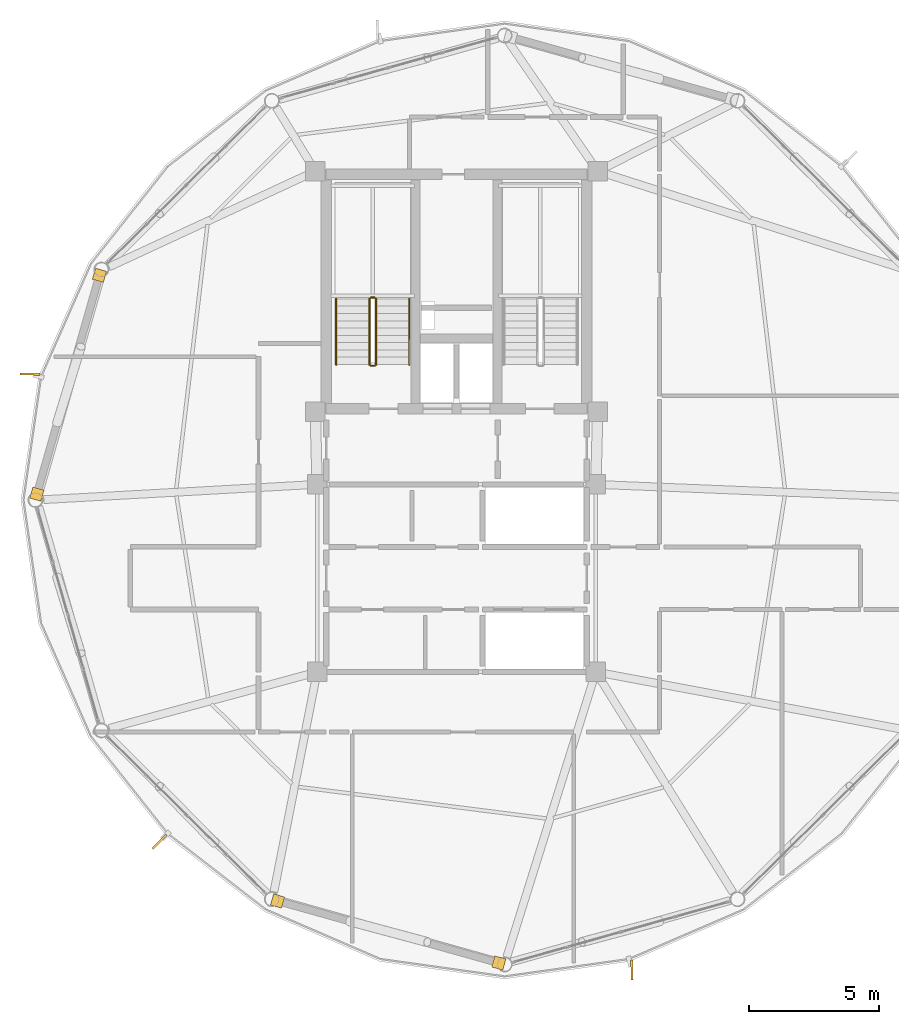
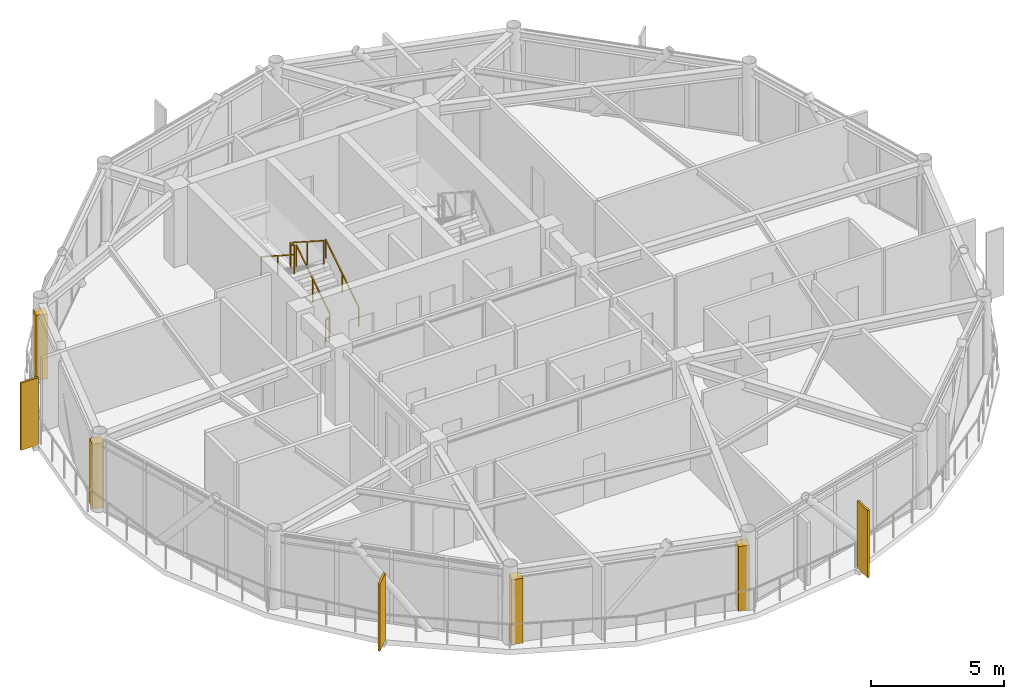
# One storey, part 22 of 24: 6 railings, 4 coverings, 3 shading devices.
"""IFC4 building model written with IfcOpenShell, lengths in metres."""

from ifc_helpers import new_model, si_unit, direction, frame, origin, origin_2d, place, context, subcontext, project, spatial, rectangle, extrude, source, transform, mapped, material, layer, layer_set, type_object, type_shapes, element, save


model = new_model("IFC4")

# Units and contexts
model_context = context("Model", 3, precision=1e-05, world=origin(), true_north=direction((0.0, 1.0)))
body_context = subcontext(model_context, "Body", "Model", "MODEL_VIEW")
ifc_project = project(units=[si_unit("LENGTHUNIT", "METRE"), si_unit("AREAUNIT", "SQUARE_METRE"), si_unit("VOLUMEUNIT", "CUBIC_METRE"), si_unit("PLANEANGLEUNIT", "RADIAN"), si_unit("MASSUNIT", "GRAM", prefix="KILO")], contexts=[model_context])

# Site, building, storey
site_placement = place(None, origin())
site = spatial("IfcSite", under=ifc_project, at=site_placement, CompositionType="ELEMENT")
building_placement = place(site_placement, origin())
building = spatial("IfcBuilding", under=site, at=building_placement, Name="Varnakorn Sky Granary", CompositionType="ELEMENT")
storey_placement = place(building_placement, frame((0.0, 0.0, 274.199951171875)))
storey = spatial("IfcBuildingStorey", under=building, at=storey_placement, Name="L70", CompositionType="ELEMENT", Elevation=274.199951171875)

# Railings
ifc_material_1 = material(Name="Brushed Stainless Steel 316", Category="steel")
railing_type_1 = type_object("IfcRailingType", Name="RL-STAIR-1100", PredefinedType="GUARDRAIL", material=ifc_material_1)
railing_1_placement = place(storey_placement, frame((-0.090087890625, 5.199951171875, 0.179931640625)))
element("IfcRailing", 1, at=railing_1_placement, inside=storey, type_object=railing_type_1, Name="L70 ST-1 stair guard 1", PredefinedType="GUARDRAIL", context=body_context, shape_type="SweptSolid", body=[
    extrude(rectangle(XDim=0.048095703125, YDim=0.048095703125, at=origin_2d()), frame((0.0, 0.0, 1.076171875), z_axis=(0.0, 0.841162588446, 0.540782303519), x_axis=(-1.0, 0.0, 0.0)), (0.0, 0.0, 1.0), 2.995849609375),
    extrude(rectangle(XDim=0.0419921875, YDim=0.0419921875, at=origin_2d()), origin(), (0.0, 0.0, 1.0), 1.048095703125),
    extrude(rectangle(XDim=0.0419921875, YDim=0.0419921875, at=origin_2d()), frame((0.0, 1.260009765625, 0.81005859375)), (0.0, 0.0, 1.0), 1.048095703125),
    extrude(rectangle(XDim=0.0419921875, YDim=0.0419921875, at=origin_2d()), frame((0.0, 2.52001953125, 1.6201171875)), (0.0, 0.0, 1.0), 1.048095703125),
])
railing_2_placement = place(storey_placement, frame((-0.139892578125, 7.77001953125, 1.800048828125)))
element("IfcRailing", 2, at=railing_2_placement, inside=storey, type_object=railing_type_1, Name="L70 ST-1 stair guard 2", PredefinedType="GUARDRAIL", context=body_context, shape_type="SweptSolid", body=[
    extrude(rectangle(XDim=0.048095703125, YDim=0.048095703125, at=origin_2d()), frame((0.0, 0.0, 1.076171875), z_axis=(-1.0, 0.0, 0.0), x_axis=(0.0, -1.0, 0.0)), (0.0, 0.0, 1.0), 0.150146484375),
    extrude(rectangle(XDim=0.0419921875, YDim=0.0419921875, at=origin_2d()), origin(), (0.0, 0.0, 1.0), 1.048095703125),
    extrude(rectangle(XDim=0.0419921875, YDim=0.0419921875, at=origin_2d()), frame((-0.150146484375, 0.0, 0.0)), (0.0, 0.0, 1.0), 1.048095703125),
])
railing_3_placement = place(storey_placement, frame((-0.340087890625, 7.719970703125, 1.97998046875)))
element("IfcRailing", 3, at=railing_3_placement, inside=storey, type_object=railing_type_1, Name="L70 ST-1 stair guard 3", PredefinedType="GUARDRAIL", context=body_context, shape_type="SweptSolid", body=[
    extrude(rectangle(XDim=0.048095703125, YDim=0.048095703125, at=origin_2d()), frame((0.0, 0.0, 1.076171875), z_axis=(0.0, -0.841162588446, 0.540782303519), x_axis=(1.0, 0.0, 0.0)), (0.0, 0.0, 1.0), 2.995849609375),
    extrude(rectangle(XDim=0.0419921875, YDim=0.0419921875, at=origin_2d()), origin(), (0.0, 0.0, 1.0), 1.048095703125),
    extrude(rectangle(XDim=0.0419921875, YDim=0.0419921875, at=origin_2d()), frame((0.0, -1.260009765625, 0.81005859375)), (0.0, 0.0, 1.0), 1.048095703125),
    extrude(rectangle(XDim=0.0419921875, YDim=0.0419921875, at=origin_2d()), frame((0.0, -2.52001953125, 1.6201171875)), (0.0, 0.0, 1.0), 1.048095703125),
])
railing_4_placement = place(storey_placement, frame((-0.139892578125, 5.14990234375, 0.0)))
element("IfcRailing", 4, at=railing_4_placement, inside=storey, type_object=railing_type_1, Name="L70 ST-1 stair guard 4", PredefinedType="GUARDRAIL", context=body_context, shape_type="SweptSolid", body=[
    extrude(rectangle(XDim=0.048095703125, YDim=0.048095703125, at=origin_2d()), frame((0.0, 0.0, 1.076171875), z_axis=(-1.0, 0.0, 0.0), x_axis=(0.0, -1.0, 0.0)), (0.0, 0.0, 1.0), 0.150146484375),
    extrude(rectangle(XDim=0.0419921875, YDim=0.0419921875, at=origin_2d()), origin(), (0.0, 0.0, 1.0), 1.048095703125),
    extrude(rectangle(XDim=0.0419921875, YDim=0.0419921875, at=origin_2d()), frame((-0.150146484375, 0.0, 0.0)), (0.0, 0.0, 1.0), 1.048095703125),
])
railing_type_2 = type_object("IfcRailingType", Name="RL-STAIR-920", PredefinedType="HANDRAIL", material=ifc_material_1)
railing_5_placement = place(storey_placement, frame((1.18994140625, 5.199951171875, 0.179931640625)))
element("IfcRailing", 5, at=railing_5_placement, inside=storey, type_object=railing_type_2, Name="L70 ST-1 stair handrail 1", PredefinedType="HANDRAIL", context=body_context, shape_type="SweptSolid", body=[
    extrude(rectangle(XDim=0.048095703125, YDim=0.048095703125, at=origin_2d()), frame((0.0, 0.0, 0.8759765625), z_axis=(0.0, 0.841162588446, 0.540782303519), x_axis=(-1.0, 0.0, 0.0)), (0.0, 0.0, 1.0), 2.995849609375),
    extrude(rectangle(XDim=0.0419921875, YDim=0.0419921875, at=origin_2d()), origin(), (0.0, 0.0, 1.0), 0.847900390625),
    extrude(rectangle(XDim=0.0419921875, YDim=0.0419921875, at=origin_2d()), frame((0.0, 1.260009765625, 0.81005859375)), (0.0, 0.0, 1.0), 0.847900390625),
    extrude(rectangle(XDim=0.0419921875, YDim=0.0419921875, at=origin_2d()), frame((0.0, 2.52001953125, 1.6201171875)), (0.0, 0.0, 1.0), 0.847900390625),
])
railing_6_placement = place(storey_placement, frame((-1.6201171875, 7.719970703125, 1.97998046875)))
element("IfcRailing", 6, at=railing_6_placement, inside=storey, type_object=railing_type_2, Name="L70 ST-1 stair handrail 2", PredefinedType="HANDRAIL", context=body_context, shape_type="SweptSolid", body=[
    extrude(rectangle(XDim=0.048095703125, YDim=0.048095703125, at=origin_2d()), frame((0.0, 0.0, 0.8759765625), z_axis=(0.0, -0.841162588446, 0.540782303519), x_axis=(1.0, 0.0, 0.0)), (0.0, 0.0, 1.0), 2.995849609375),
    extrude(rectangle(XDim=0.0419921875, YDim=0.0419921875, at=origin_2d()), origin(), (0.0, 0.0, 1.0), 0.847900390625),
    extrude(rectangle(XDim=0.0419921875, YDim=0.0419921875, at=origin_2d()), frame((0.0, -1.260009765625, 0.81005859375)), (0.0, 0.0, 1.0), 0.847900390625),
    extrude(rectangle(XDim=0.0419921875, YDim=0.0419921875, at=origin_2d()), frame((0.0, -2.52001953125, 1.6201171875)), (0.0, 0.0, 1.0), 0.847900390625),
])

# Coverings
ifc_material_2 = material(Name="Anodised Bronze Aluminium Alloy 6063-T6", Category="aluminium")
ifc_layer = layer(ifc_material_2, 0.050048828125, Name="Anodised Bronze Aluminium Alloy 6063-T6")
ifc_layer_set = layer_set([ifc_layer], Name="Anodised Bronze Aluminium Alloy 6063-T6")
covering_type = type_object("IfcCoveringType", Name="CV-CLAD-50", PredefinedType="CLADDING", material=ifc_layer_set)
shared_shape_1 = source(origin(), body_context, "Body", "SweptSolid", [
    extrude(rectangle(XDim=0.43994140625, YDim=0.43994140625, at=origin_2d()), origin(), (0.0, 0.0, 1.0), 2.989990234375),
])
type_shapes(covering_type, [shared_shape_1])
for number, where, z_axis, x_axis, name in (
    (7, (-13.1064453125, 0.2255859375, -0.02001953125), (0.0, 0.0, 1.0), (0.274966201438, 0.961453892845, 0.0), "Bronze Corner Pilaster Closure L70-P06-A"),
    (8, (-10.7041015625, 8.62451171875, -0.02001953125), (0.0, 0.0, 1.0), (0.274966201438, 0.961453892845, 0.0), "Bronze Corner Pilaster Closure L70-P06-B"),
    (9, (4.624267578125, -17.771728515625, -0.02001953125), (0.0, 0.0, 1.0), (-0.962880426559, 0.26992829446, 0.0), "Bronze Corner Pilaster Closure L70-P09-A"),
    (10, (-3.8671875, -15.391845703125, -0.02001953125), (0.0, 0.0, 1.0), (-0.962880426559, 0.26992829446, 0.0), "Bronze Corner Pilaster Closure L70-P09-B"),
):
    element("IfcCovering", number, at=place(storey_placement, frame(where, z_axis=z_axis, x_axis=x_axis)), inside=storey, type_object=covering_type, Name=name, PredefinedType="CLADDING", context=body_context, shape_type="MappedRepresentation", body=[
        mapped(shared_shape_1, transform((0.0, 0.0, 0.0), x_axis=(1.0, 0.0, 0.0), y_axis=(0.0, 1.0, 0.0), z_axis=(0.0, 0.0, 1.0), scale=1.0)),
    ])

# Shading devices
shading_device_type = type_object("IfcShadingDeviceType", Name="SH-FIN-03", PredefinedType="USERDEFINED", material=ifc_material_2)
shared_shape_2 = source(origin(), body_context, "Body", "SweptSolid", [
    extrude(rectangle(XDim=0.0849609375, YDim=0.760009765625, at=origin_2d()), origin(), (0.0, 0.0, 1.0), 3.10009765625),
])
type_shapes(shading_device_type, [shared_shape_2])
for number, where, z_axis, x_axis, name in (
    (11, (-13.373291015625, 4.83349609375, -0.0400390625), (0.0, 0.0, 1.0), (-0.016729451773, -0.999860052929, 0.0), "Bronze Solar-Tracking Vertical Blade FIN L70-06"),
    (12, (-8.396484375, -13.111572265625, -0.0400390625), (0.0, 0.0, 1.0), (0.705508063072, -0.708701892858, 0.0), "Bronze Solar-Tracking Vertical Blade FIN L70-08"),
    (13, (9.73388671875, -18.043212890625, -0.0400390625), (0.0, 0.0, 1.0), (0.999730357131, 0.023220961005, 0.0), "Bronze Solar-Tracking Vertical Blade FIN L70-10"),
):
    element("IfcShadingDevice", number, at=place(storey_placement, frame(where, z_axis=z_axis, x_axis=x_axis)), inside=storey, type_object=shading_device_type, Name=name, ObjectType="FIN", PredefinedType="USERDEFINED", context=body_context, shape_type="MappedRepresentation", body=[
        mapped(shared_shape_2, transform((0.0, 0.0, 0.0), x_axis=(1.0, 0.0, 0.0), y_axis=(0.0, 1.0, 0.0), z_axis=(0.0, 0.0, 1.0), scale=1.0)),
    ])

save(model, "model.ifc")
